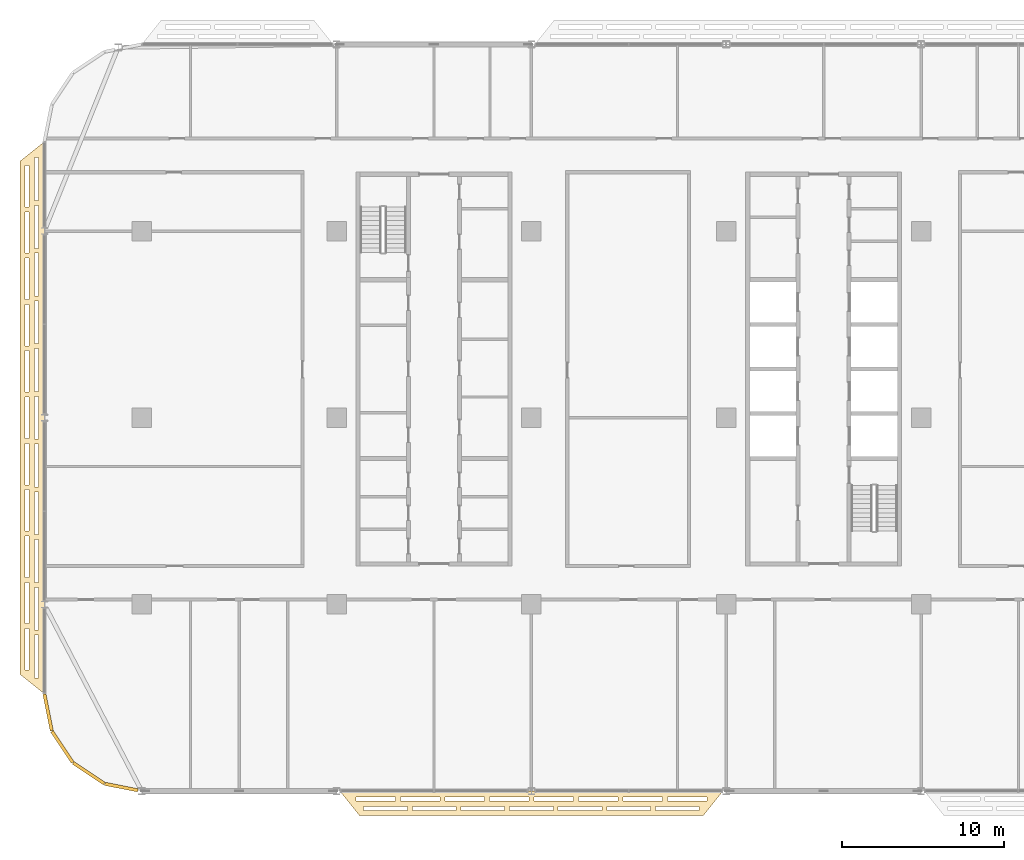
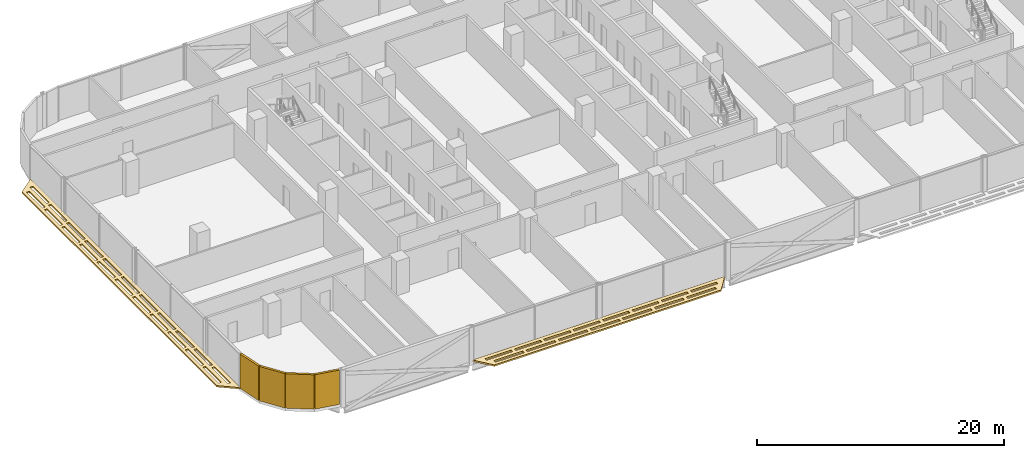
# One storey, part 23 of 28: 6 coverings.
"""IFC4 building model written with IfcOpenShell, lengths in metres."""

from ifc_helpers import new_model, si_unit, direction, frame, origin, origin_2d, place, context, subcontext, project, spatial, polyline, rectangle, outline, extrude, material, layer, layer_set, type_object, element, save


model = new_model("IFC4")

# Units and contexts
model_context = context("Model", 3, precision=1e-05, world=origin(), true_north=direction((0.0, 1.0)))
body_context = subcontext(model_context, "Body", "Model", "MODEL_VIEW")
ifc_project = project(units=[si_unit("LENGTHUNIT", "METRE"), si_unit("AREAUNIT", "SQUARE_METRE"), si_unit("VOLUMEUNIT", "CUBIC_METRE"), si_unit("PLANEANGLEUNIT", "RADIAN"), si_unit("MASSUNIT", "GRAM", prefix="KILO")], contexts=[model_context])

# Site, building, storey
site_placement = place(None, origin())
site = spatial("IfcSite", under=ifc_project, at=site_placement, CompositionType="ELEMENT")
building_placement = place(site_placement, origin())
building = spatial("IfcBuilding", under=site, at=building_placement, Name="Mahtab Terrace Research Tower", CompositionType="ELEMENT")
storey_placement = place(building_placement, frame((0.0, 0.0, 185.800048828125)))
storey = spatial("IfcBuildingStorey", under=building, at=storey_placement, Name="L44", CompositionType="ELEMENT", Elevation=185.800048828125)

# Coverings
ifc_material_1 = material(Name="Black aluminium cladding panel", Category="aluminium")
ifc_layer_1 = layer(ifc_material_1, 0.199951171875)
ifc_layer_set_1 = layer_set([ifc_layer_1], Name="Black metal corner cladding 200")
covering_type_1 = type_object("IfcCoveringType", Name="Black metal corner cladding 200", PredefinedType="CLADDING", material=ifc_layer_set_1)
for number, where, z_axis, x_axis, name in (
    (1, (-47.771484375, -18.14794921875, 0.0), (0.0, 0.0, 1.0), (0.195212442692, -0.980760981187, 0.0), "Corner cladding L44 19"),
    (2, (-46.89306640625, -20.26953125, 0.0), (0.0, 0.0, 1.0), (0.555291490808, -0.831655794326, 0.0), "Corner cladding L44 20"),
    (3, (-45.26953125, -21.89306640625, 0.0), (0.0, 0.0, 1.0), (0.831655794326, -0.555291490808, 0.0), "Corner cladding L44 21"),
):
    element("IfcCovering", number, at=place(storey_placement, frame(where, z_axis=z_axis, x_axis=x_axis)), inside=storey, type_object=covering_type_1, Name=name, PredefinedType="CLADDING", context=body_context, shape_type="SweptSolid", body=[
        extrude(rectangle(XDim=2.30126953125, YDim=0.199951171875, at=origin_2d()), origin(), (0.0, 0.0, 1.0), 3.39990234375),
    ])
covering_1_placement = place(storey_placement, frame((-43.25830078125, -22.74951171875, 0.0), z_axis=(0.0, 0.0, 1.0), x_axis=(0.980760981187, -0.195212442692, 0.0)))
element("IfcCovering", 4, at=covering_1_placement, inside=storey, type_object=covering_type_1, Name="Corner cladding L44 22", PredefinedType="CLADDING", context=body_context, shape_type="SweptSolid", body=[
    extrude(rectangle(XDim=2.07666015625, YDim=0.199951171875, at=origin_2d()), origin(), (0.0, 0.0, 1.0), 3.39990234375),
])
ifc_material_2 = material(Name="Black anodised aluminium", Category="aluminium")
ifc_layer_2 = layer(ifc_material_2, 0.14990234375)
ifc_layer_set_2 = layer_set([ifc_layer_2], Name="Horizontal sunshade band")
covering_type_2 = type_object("IfcCoveringType", Name="Horizontal sunshade band", PredefinedType="CLADDING", material=ifc_layer_set_2)
covering_2_placement = place(storey_placement, frame((0.0, 0.0, -0.150146484375)))
element("IfcCovering", 5, at=covering_2_placement, inside=storey, type_object=covering_type_2, Name="Sunshade band L44 15", PredefinedType="CLADDING", context=body_context, shape_type="SweptSolid", body=[
    extrude(outline(polyline([(-48.0, 17.0), (-48.0, -17.0), (-49.5, -15.800048828125), (-49.5, 15.800048828125), (-48.0, 17.0)]), holes=[polyline([(-48.35009765625, 16.02001953125), (-48.35009765625, 13.3798828125), (-48.60009765625, 13.3798828125), (-48.60009765625, 16.02001953125), (-48.35009765625, 16.02001953125)]), polyline([(-48.35009765625, 13.080078125), (-48.35009765625, 10.43994140625), (-48.60009765625, 10.43994140625), (-48.60009765625, 13.080078125), (-48.35009765625, 13.080078125)]), polyline([(-48.35009765625, 10.139892578125), (-48.35009765625, 7.5), (-48.60009765625, 7.5), (-48.60009765625, 10.139892578125), (-48.35009765625, 10.139892578125)]), polyline([(-48.35009765625, 7.199951171875), (-48.35009765625, 4.56005859375), (-48.60009765625, 4.56005859375), (-48.60009765625, 7.199951171875), (-48.35009765625, 7.199951171875)]), polyline([(-48.35009765625, 4.260009765625), (-48.35009765625, 1.6201171875), (-48.60009765625, 1.6201171875), (-48.60009765625, 4.260009765625), (-48.35009765625, 4.260009765625)]), polyline([(-48.35009765625, 1.320068359375), (-48.35009765625, -1.320068359375), (-48.60009765625, -1.320068359375), (-48.60009765625, 1.320068359375), (-48.35009765625, 1.320068359375)]), polyline([(-48.35009765625, -1.6201171875), (-48.35009765625, -4.260009765625), (-48.60009765625, -4.260009765625), (-48.60009765625, -1.6201171875), (-48.35009765625, -1.6201171875)]), polyline([(-48.35009765625, -4.56005859375), (-48.35009765625, -7.199951171875), (-48.60009765625, -7.199951171875), (-48.60009765625, -4.56005859375), (-48.35009765625, -4.56005859375)]), polyline([(-48.35009765625, -7.5), (-48.35009765625, -10.139892578125), (-48.60009765625, -10.139892578125), (-48.60009765625, -7.5), (-48.35009765625, -7.5)]), polyline([(-48.35009765625, -10.43994140625), (-48.35009765625, -13.080078125), (-48.60009765625, -13.080078125), (-48.60009765625, -10.43994140625), (-48.35009765625, -10.43994140625)]), polyline([(-48.35009765625, -13.3798828125), (-48.35009765625, -16.02001953125), (-48.60009765625, -16.02001953125), (-48.60009765625, -13.3798828125), (-48.35009765625, -13.3798828125)]), polyline([(-48.949951171875, 15.5400390625), (-48.949951171875, 12.987060546875), (-49.199951171875, 12.987060546875), (-49.199951171875, 15.5400390625), (-48.949951171875, 15.5400390625)]), polyline([(-48.949951171875, 12.68701171875), (-48.949951171875, 10.135009765625), (-49.199951171875, 10.135009765625), (-49.199951171875, 12.68701171875), (-48.949951171875, 12.68701171875)]), polyline([(-48.949951171875, 9.8349609375), (-48.949951171875, 7.281982421875), (-49.199951171875, 7.281982421875), (-49.199951171875, 9.8349609375), (-48.949951171875, 9.8349609375)]), polyline([(-48.949951171875, 6.98193359375), (-48.949951171875, 4.428955078125), (-49.199951171875, 4.428955078125), (-49.199951171875, 6.98193359375), (-48.949951171875, 6.98193359375)]), polyline([(-48.949951171875, 4.12890625), (-48.949951171875, 1.575927734375), (-49.199951171875, 1.575927734375), (-49.199951171875, 4.12890625), (-48.949951171875, 4.12890625)]), polyline([(-48.949951171875, 1.27587890625), (-48.949951171875, -1.27587890625), (-49.199951171875, -1.27587890625), (-49.199951171875, 1.27587890625), (-48.949951171875, 1.27587890625)]), polyline([(-48.949951171875, -1.575927734375), (-48.949951171875, -4.12890625), (-49.199951171875, -4.12890625), (-49.199951171875, -1.575927734375), (-48.949951171875, -1.575927734375)]), polyline([(-48.949951171875, -4.428955078125), (-48.949951171875, -6.98193359375), (-49.199951171875, -6.98193359375), (-49.199951171875, -4.428955078125), (-48.949951171875, -4.428955078125)]), polyline([(-48.949951171875, -7.281982421875), (-48.949951171875, -9.8349609375), (-49.199951171875, -9.8349609375), (-49.199951171875, -7.281982421875), (-48.949951171875, -7.281982421875)]), polyline([(-48.949951171875, -10.135009765625), (-48.949951171875, -12.68701171875), (-49.199951171875, -12.68701171875), (-49.199951171875, -10.135009765625), (-48.949951171875, -10.135009765625)]), polyline([(-48.949951171875, -12.987060546875), (-48.949951171875, -15.5400390625), (-49.199951171875, -15.5400390625), (-49.199951171875, -12.987060546875), (-48.949951171875, -12.987060546875)])]), origin(), (0.0, 0.0, 1.0), 0.150146484375),
])
covering_3_placement = place(storey_placement, frame((0.0, 0.0, -0.150146484375)))
element("IfcCovering", 6, at=covering_3_placement, inside=storey, type_object=covering_type_2, Name="Sunshade band L44 24", PredefinedType="CLADDING", context=body_context, shape_type="SweptSolid", body=[
    extrude(outline(polyline([(-29.7919921875, -23.0), (-6.2080078125, -23.0), (-7.407958984375, -24.5), (-28.592041015625, -24.5), (-29.7919921875, -23.0)]), holes=[polyline([(-28.81201171875, -23.35009765625), (-26.3720703125, -23.35009765625), (-26.3720703125, -23.60009765625), (-28.81201171875, -23.60009765625), (-28.81201171875, -23.35009765625)]), polyline([(-26.072021484375, -23.35009765625), (-23.631103515625, -23.35009765625), (-23.631103515625, -23.60009765625), (-26.072021484375, -23.60009765625), (-26.072021484375, -23.35009765625)]), polyline([(-23.3310546875, -23.35009765625), (-20.889892578125, -23.35009765625), (-20.889892578125, -23.60009765625), (-23.3310546875, -23.60009765625), (-23.3310546875, -23.35009765625)]), polyline([(-20.590087890625, -23.35009765625), (-18.14990234375, -23.35009765625), (-18.14990234375, -23.60009765625), (-20.590087890625, -23.60009765625), (-20.590087890625, -23.35009765625)]), polyline([(-17.85009765625, -23.35009765625), (-15.409912109375, -23.35009765625), (-15.409912109375, -23.60009765625), (-17.85009765625, -23.60009765625), (-17.85009765625, -23.35009765625)]), polyline([(-15.10888671875, -23.35009765625), (-12.6689453125, -23.35009765625), (-12.6689453125, -23.60009765625), (-15.10888671875, -23.60009765625), (-15.10888671875, -23.35009765625)]), polyline([(-12.368896484375, -23.35009765625), (-9.927978515625, -23.35009765625), (-9.927978515625, -23.60009765625), (-12.368896484375, -23.60009765625), (-12.368896484375, -23.35009765625)]), polyline([(-9.62890625, -23.35009765625), (-7.18798828125, -23.35009765625), (-7.18798828125, -23.60009765625), (-9.62890625, -23.60009765625), (-9.62890625, -23.35009765625)]), polyline([(-28.33203125, -23.949951171875), (-25.636962890625, -23.949951171875), (-25.636962890625, -24.199951171875), (-28.33203125, -24.199951171875), (-28.33203125, -23.949951171875)]), polyline([(-25.3369140625, -23.949951171875), (-22.64208984375, -23.949951171875), (-22.64208984375, -24.199951171875), (-25.3369140625, -24.199951171875), (-25.3369140625, -23.949951171875)]), polyline([(-22.342041015625, -23.949951171875), (-19.64697265625, -23.949951171875), (-19.64697265625, -24.199951171875), (-22.342041015625, -24.199951171875), (-22.342041015625, -23.949951171875)]), polyline([(-19.346923828125, -23.949951171875), (-16.653076171875, -23.949951171875), (-16.653076171875, -24.199951171875), (-19.346923828125, -24.199951171875), (-19.346923828125, -23.949951171875)]), polyline([(-16.35302734375, -23.949951171875), (-13.657958984375, -23.949951171875), (-13.657958984375, -24.199951171875), (-16.35302734375, -24.199951171875), (-16.35302734375, -23.949951171875)]), polyline([(-13.35791015625, -23.949951171875), (-10.6630859375, -23.949951171875), (-10.6630859375, -24.199951171875), (-13.35791015625, -24.199951171875), (-13.35791015625, -23.949951171875)]), polyline([(-10.363037109375, -23.949951171875), (-7.66796875, -23.949951171875), (-7.66796875, -24.199951171875), (-10.363037109375, -24.199951171875), (-10.363037109375, -23.949951171875)])]), origin(), (0.0, 0.0, 1.0), 0.150146484375),
])

save(model, "model.ifc")
